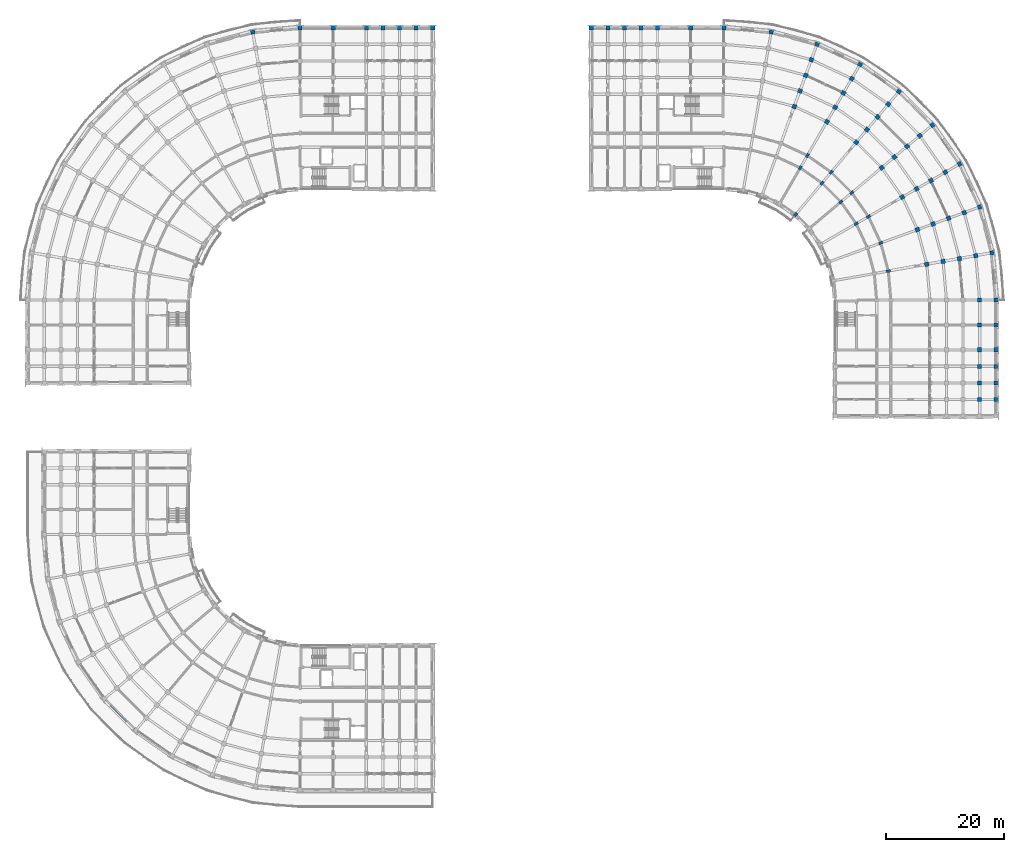
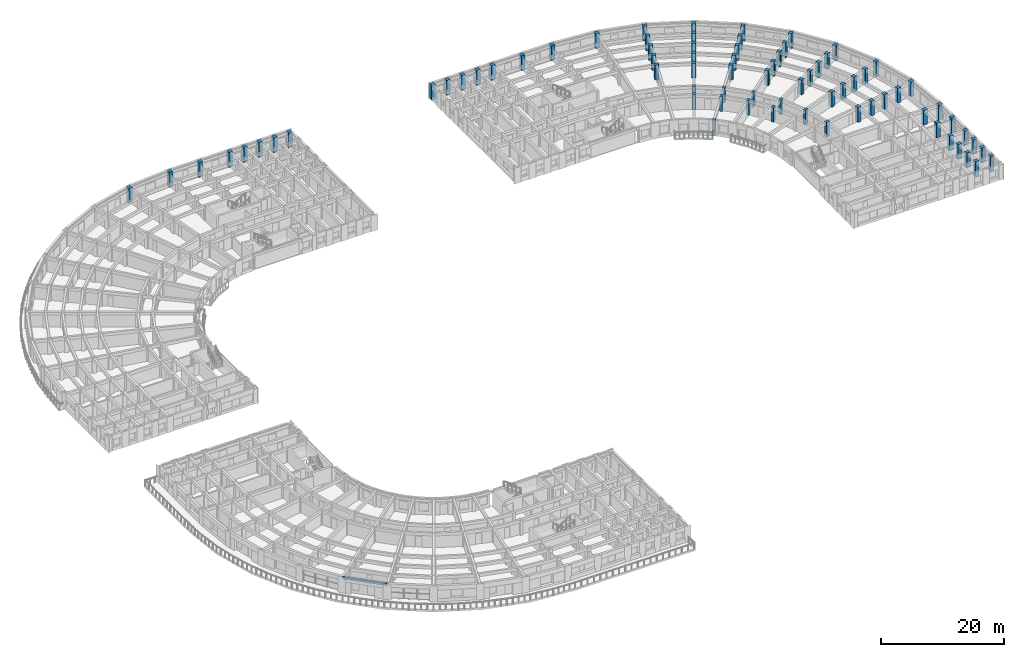
# One storey, part 3 of 57: 74 columns, 1 beam.
"""IFC4 building model written with IfcOpenShell, lengths in metres."""

from ifc_helpers import new_model, si_unit, direction, frame, origin, origin_2d, place, context, subcontext, project, spatial, rectangle, extrude, material, material_profile, profile_set, type_object, element, save


model = new_model("IFC4")

# Units and contexts
model_context = context("Model", 3, precision=1e-05, world=origin(), true_north=direction((0.0, 1.0)))
body_context = subcontext(model_context, "Body", "Model", "MODEL_VIEW")
ifc_project = project(units=[si_unit("LENGTHUNIT", "METRE"), si_unit("AREAUNIT", "SQUARE_METRE"), si_unit("VOLUMEUNIT", "CUBIC_METRE"), si_unit("PLANEANGLEUNIT", "RADIAN"), si_unit("MASSUNIT", "GRAM", prefix="KILO")], contexts=[model_context])

# Site, building, storey
site_placement = place(None, origin())
site = spatial("IfcSite", under=ifc_project, at=site_placement, CompositionType="ELEMENT")
building_placement = place(site_placement, origin())
building = spatial("IfcBuilding", under=site, at=building_placement, Name="Kiranvali Square Residences", CompositionType="ELEMENT")
storey_placement = place(building_placement, frame((0.0, 0.0, 21.300048828125)))
storey = spatial("IfcBuildingStorey", under=building, at=storey_placement, Name="L06", CompositionType="ELEMENT", Elevation=21.300048828125)

# Columns
ifc_material_1 = material(Name="Concrete M45 (45 MPa)", Category="concrete")
ifc_material_profile_1 = material_profile(ifc_material_1, rectangle(XDim=0.699951171875, YDim=0.699951171875, at=origin_2d()), Name="RC 700x700")
ifc_profile_set_1 = profile_set([ifc_material_profile_1], Name="Concrete M45 (45 MPa)")
column_type_1 = type_object("IfcColumnType", Name="COL-M45-700", PredefinedType="COLUMN", material=ifc_profile_set_1)
for number, where, z_axis, x_axis, name in (
    (1, (48.199951171875, 133.800048828125, 0.0), (0.0, 0.0, 1.0), (1.0, 0.0, 0.0), "Block A L06 radial column A00-R7"),
    (2, (40.212158203125, 133.10107421875, 0.0), (0.0, 0.0, 1.0), (0.984807753012, 0.173648177667, 0.0), "Block A L06 radial column A01-R7"),
    (3, (53.800048828125, 133.800048828125, 0.0), (0.0, 0.0, 1.0), (1.0, 0.0, 0.0), "Block A L06 core-front column U0-R7"),
    (4, (59.39990234375, 133.800048828125, 0.0), (0.0, 0.0, 1.0), (1.0, 0.0, 0.0), "Block A L06 Arm 1 column U1-R7"),
    (5, (62.199951171875, 133.800048828125, 0.0), (0.0, 0.0, 1.0), (1.0, 0.0, 0.0), "Block A L06 Arm 1 column U2-R7"),
    (6, (65.0, 133.800048828125, 0.0), (0.0, 0.0, 1.0), (1.0, 0.0, 0.0), "Block A L06 Arm 1 column U3-R7"),
    (7, (67.800048828125, 133.800048828125, 0.0), (0.0, 0.0, 1.0), (1.0, 0.0, 0.0), "Block A L06 Arm 1 column U4-R7"),
    (8, (70.60009765625, 133.800048828125, 0.0), (0.0, 0.0, 1.0), (1.0, 0.0, 0.0), "Block A L06 Arm 1 column U5-R7"),
    (9, (119.800048828125, 133.800048828125, 0.0), (0.0, 0.0, 1.0), (1.0, 0.0, 0.0), "Block B L06 radial column A00-R7"),
    (10, (127.787841796875, 133.10107421875, 0.0), (0.0, 0.0, 1.0), (-0.984807753012, 0.173648177667, 0.0), "Block B L06 radial column A01-R7"),
    (11, (131.702392578125, 120.501220703125, 0.0), (0.0, 0.0, 1.0), (-0.939692620786, 0.342020143326, 0.0), "Block B L06 radial column A02-R3"),
    (12, (132.659912109375, 123.13232421875, 0.0), (0.0, 0.0, 1.0), (-0.939692620786, 0.342020143326, 0.0), "Block B L06 radial column A02-R4"),
    (13, (133.61767578125, 125.763671875, 0.0), (0.0, 0.0, 1.0), (-0.939692620786, 0.342020143326, 0.0), "Block B L06 radial column A02-R5"),
    (14, (134.5751953125, 128.394775390625, 0.0), (0.0, 0.0, 1.0), (-0.939692620786, 0.342020143326, 0.0), "Block B L06 radial column A02-R6"),
    (15, (135.532958984375, 131.02587890625, 0.0), (0.0, 0.0, 1.0), (-0.939692620786, 0.342020143326, 0.0), "Block B L06 radial column A02-R7"),
    (16, (137.199951171875, 117.937744140625, 0.0), (0.0, 0.0, 1.0), (-0.866025403784, 0.5, 0.0), "Block B L06 radial column A03-R3"),
    (17, (138.60009765625, 120.362548828125, 0.0), (0.0, 0.0, 1.0), (-0.866025403784, 0.5, 0.0), "Block B L06 radial column A03-R4"),
    (18, (140.0, 122.787353515625, 0.0), (0.0, 0.0, 1.0), (-0.866025403784, 0.5, 0.0), "Block B L06 radial column A03-R5"),
    (19, (141.39990234375, 125.21240234375, 0.0), (0.0, 0.0, 1.0), (-0.866025403784, 0.5, 0.0), "Block B L06 radial column A03-R6"),
    (20, (142.800048828125, 127.63720703125, 0.0), (0.0, 0.0, 1.0), (-0.866025403784, 0.5, 0.0), "Block B L06 radial column A03-R7"),
    (21, (142.1689453125, 114.458251953125, 0.0), (0.0, 0.0, 1.0), (-0.766044443119, 0.642787609687, 0.0), "Block B L06 radial column A04-R3"),
    (22, (143.96875, 116.603271484375, 0.0), (0.0, 0.0, 1.0), (-0.766044443119, 0.642787609687, 0.0), "Block B L06 radial column A04-R4"),
    (23, (145.7685546875, 118.748291015625, 0.0), (0.0, 0.0, 1.0), (-0.766044443119, 0.642787609687, 0.0), "Block B L06 radial column A04-R5"),
    (24, (147.568359375, 120.89306640625, 0.0), (0.0, 0.0, 1.0), (-0.766044443119, 0.642787609687, 0.0), "Block B L06 radial column A04-R6"),
    (25, (149.3681640625, 123.0380859375, 0.0), (0.0, 0.0, 1.0), (-0.766044443119, 0.642787609687, 0.0), "Block B L06 radial column A04-R7"),
    (26, (146.458251953125, 110.1689453125, 0.0), (0.0, 0.0, 1.0), (-0.642787609687, 0.766044443119, 0.0), "Block B L06 radial column A05-R3"),
    (27, (148.603271484375, 111.96875, 0.0), (0.0, 0.0, 1.0), (-0.642787609687, 0.766044443119, 0.0), "Block B L06 radial column A05-R4"),
    (28, (150.748291015625, 113.7685546875, 0.0), (0.0, 0.0, 1.0), (-0.642787609687, 0.766044443119, 0.0), "Block B L06 radial column A05-R5"),
    (29, (152.89306640625, 115.568359375, 0.0), (0.0, 0.0, 1.0), (-0.642787609687, 0.766044443119, 0.0), "Block B L06 radial column A05-R6"),
    (30, (155.0380859375, 117.3681640625, 0.0), (0.0, 0.0, 1.0), (-0.642787609687, 0.766044443119, 0.0), "Block B L06 radial column A05-R7"),
    (31, (149.937744140625, 105.199951171875, 0.0), (0.0, 0.0, 1.0), (-0.5, 0.866025403784, 0.0), "Block B L06 radial column A06-R3"),
    (32, (152.362548828125, 106.60009765625, 0.0), (0.0, 0.0, 1.0), (-0.5, 0.866025403784, 0.0), "Block B L06 radial column A06-R4"),
    (33, (154.787353515625, 108.0, 0.0), (0.0, 0.0, 1.0), (-0.5, 0.866025403784, 0.0), "Block B L06 radial column A06-R5"),
    (34, (157.21240234375, 109.39990234375, 0.0), (0.0, 0.0, 1.0), (-0.5, 0.866025403784, 0.0), "Block B L06 radial column A06-R6"),
    (35, (159.63720703125, 110.800048828125, 0.0), (0.0, 0.0, 1.0), (-0.5, 0.866025403784, 0.0), "Block B L06 radial column A06-R7"),
    (36, (152.501220703125, 99.702392578125, 0.0), (0.0, 0.0, 1.0), (-0.342020143326, 0.939692620786, 0.0), "Block B L06 radial column A07-R3"),
    (37, (155.13232421875, 100.659912109375, 0.0), (0.0, 0.0, 1.0), (-0.342020143326, 0.939692620786, 0.0), "Block B L06 radial column A07-R4"),
    (38, (157.763671875, 101.61767578125, 0.0), (0.0, 0.0, 1.0), (-0.342020143326, 0.939692620786, 0.0), "Block B L06 radial column A07-R5"),
    (39, (160.394775390625, 102.5751953125, 0.0), (0.0, 0.0, 1.0), (-0.342020143326, 0.939692620786, 0.0), "Block B L06 radial column A07-R6"),
    (40, (163.02587890625, 103.532958984375, 0.0), (0.0, 0.0, 1.0), (-0.342020143326, 0.939692620786, 0.0), "Block B L06 radial column A07-R7"),
    (41, (154.0712890625, 93.843017578125, 0.0), (0.0, 0.0, 1.0), (-0.173648177667, 0.984807753012, 0.0), "Block B L06 radial column A08-R3"),
    (42, (156.828857421875, 94.3291015625, 0.0), (0.0, 0.0, 1.0), (-0.173648177667, 0.984807753012, 0.0), "Block B L06 radial column A08-R4"),
    (43, (159.586181640625, 94.8154296875, 0.0), (0.0, 0.0, 1.0), (-0.173648177667, 0.984807753012, 0.0), "Block B L06 radial column A08-R5"),
    (44, (162.34375, 95.301513671875, 0.0), (0.0, 0.0, 1.0), (-0.173648177667, 0.984807753012, 0.0), "Block B L06 radial column A08-R6"),
    (45, (165.10107421875, 95.787841796875, 0.0), (0.0, 0.0, 1.0), (-0.173648177667, 0.984807753012, 0.0), "Block B L06 radial column A08-R7"),
    (46, (163.0, 87.800048828125, 0.0), (0.0, 0.0, 1.0), (0.0, 1.0, 0.0), "Block B L06 radial column A09-R6"),
    (47, (165.800048828125, 87.800048828125, 0.0), (0.0, 0.0, 1.0), (0.0, 1.0, 0.0), "Block B L06 radial column A09-R7"),
    (48, (114.199951171875, 133.800048828125, 0.0), (0.0, 0.0, 1.0), (1.0, 0.0, 0.0), "Block B L06 core-front column U0-R7"),
    (49, (108.60009765625, 133.800048828125, 0.0), (0.0, 0.0, 1.0), (1.0, 0.0, 0.0), "Block B L06 Arm 1 column U1-R7"),
    (50, (105.800048828125, 133.800048828125, 0.0), (0.0, 0.0, 1.0), (1.0, 0.0, 0.0), "Block B L06 Arm 1 column U2-R7"),
    (51, (103.0, 133.800048828125, 0.0), (0.0, 0.0, 1.0), (1.0, 0.0, 0.0), "Block B L06 Arm 1 column U3-R7"),
    (52, (100.199951171875, 133.800048828125, 0.0), (0.0, 0.0, 1.0), (1.0, 0.0, 0.0), "Block B L06 Arm 1 column U4-R7"),
    (53, (97.39990234375, 133.800048828125, 0.0), (0.0, 0.0, 1.0), (1.0, 0.0, 0.0), "Block B L06 Arm 1 column U5-R7"),
    (54, (163.0, 83.60009765625, 0.0), (0.0, 0.0, 1.0), (1.0, 0.0, 0.0), "Block B L06 Arm 2 mid-core column V0-R6"),
    (55, (165.800048828125, 83.60009765625, 0.0), (0.0, 0.0, 1.0), (1.0, 0.0, 0.0), "Block B L06 Arm 2 mid-core column V0-R7"),
    (56, (163.0, 79.39990234375, 0.0), (0.0, 0.0, 1.0), (1.0, 0.0, 0.0), "Block B L06 Arm 2 column V1-R6"),
    (57, (165.800048828125, 79.39990234375, 0.0), (0.0, 0.0, 1.0), (1.0, 0.0, 0.0), "Block B L06 Arm 2 column V1-R7"),
    (58, (163.0, 76.60009765625, 0.0), (0.0, 0.0, 1.0), (1.0, 0.0, 0.0), "Block B L06 Arm 2 column V2-R6"),
    (59, (165.800048828125, 76.60009765625, 0.0), (0.0, 0.0, 1.0), (1.0, 0.0, 0.0), "Block B L06 Arm 2 column V2-R7"),
    (60, (163.0, 73.800048828125, 0.0), (0.0, 0.0, 1.0), (1.0, 0.0, 0.0), "Block B L06 Arm 2 column V3-R6"),
    (61, (165.800048828125, 73.800048828125, 0.0), (0.0, 0.0, 1.0), (1.0, 0.0, 0.0), "Block B L06 Arm 2 column V3-R7"),
    (62, (163.0, 71.0, 0.0), (0.0, 0.0, 1.0), (1.0, 0.0, 0.0), "Block B L06 Arm 2 column V4-R6"),
    (63, (165.800048828125, 71.0, 0.0), (0.0, 0.0, 1.0), (1.0, 0.0, 0.0), "Block B L06 Arm 2 column V4-R7"),
):
    element("IfcColumn", number, at=place(storey_placement, frame(where, z_axis=z_axis, x_axis=x_axis)), inside=storey, type_object=column_type_1, Name=name, PredefinedType="COLUMN", context=body_context, shape_type="SweptSolid", body=[
        extrude(rectangle(XDim=0.699951171875, YDim=0.699951171875, at=origin_2d()), origin(), (0.0, 0.0, 1.0), 2.929931640625),
    ])
ifc_material_profile_2 = material_profile(ifc_material_1, rectangle(XDim=0.449951171875, YDim=0.699951171875, at=origin_2d()), Name="RC 700x450")
ifc_profile_set_2 = profile_set([ifc_material_profile_2], Name="Concrete M45 (45 MPa)")
column_type_2 = type_object("IfcColumnType", Name="COL-M45-700x450", PredefinedType="COLUMN", material=ifc_profile_set_2)
for number, where, z_axis, x_axis, name in (
    (64, (132.699951171875, 110.1435546875, 0.0), (0.0, 0.0, 1.0), (-0.866025403784, 0.5, 0.0), "Block B L06 radial column A03-R1"),
    (65, (133.89990234375, 112.221923828125, 0.0), (0.0, 0.0, 1.0), (-0.866025403784, 0.5, 0.0), "Block B L06 radial column A03-R2"),
    (66, (136.384033203125, 107.56396484375, 0.0), (0.0, 0.0, 1.0), (-0.766044443119, 0.642787609687, 0.0), "Block B L06 radial column A04-R1"),
    (67, (137.926513671875, 109.40234375, 0.0), (0.0, 0.0, 1.0), (-0.766044443119, 0.642787609687, 0.0), "Block B L06 radial column A04-R2"),
    (68, (139.56396484375, 104.384033203125, 0.0), (0.0, 0.0, 1.0), (-0.642787609687, 0.766044443119, 0.0), "Block B L06 radial column A05-R1"),
    (69, (141.40234375, 105.926513671875, 0.0), (0.0, 0.0, 1.0), (-0.642787609687, 0.766044443119, 0.0), "Block B L06 radial column A05-R2"),
    (70, (142.1435546875, 100.699951171875, 0.0), (0.0, 0.0, 1.0), (-0.5, 0.866025403784, 0.0), "Block B L06 radial column A06-R1"),
    (71, (144.221923828125, 101.89990234375, 0.0), (0.0, 0.0, 1.0), (-0.5, 0.866025403784, 0.0), "Block B L06 radial column A06-R2"),
    (72, (146.29931640625, 97.445068359375, 0.0), (0.0, 0.0, 1.0), (-0.342020143326, 0.939692620786, 0.0), "Block B L06 radial column A07-R2"),
    (73, (147.571533203125, 92.69677734375, 0.0), (0.0, 0.0, 1.0), (-0.173648177667, 0.984807753012, 0.0), "Block B L06 radial column A08-R2"),
):
    element("IfcColumn", number, at=place(storey_placement, frame(where, z_axis=z_axis, x_axis=x_axis)), inside=storey, type_object=column_type_2, Name=name, PredefinedType="COLUMN", context=body_context, shape_type="SweptSolid", body=[
        extrude(rectangle(XDim=0.449951171875, YDim=0.699951171875, at=origin_2d()), origin(), (0.0, 0.0, 1.0), 2.929931640625),
    ])
ifc_material_2 = material(Name="Concrete M50 (50 MPa)", Category="concrete")
ifc_material_profile_3 = material_profile(ifc_material_2, rectangle(XDim=0.5, YDim=0.800048828125, at=origin_2d()), Name="RC 800x500")
ifc_profile_set_3 = profile_set([ifc_material_profile_3], Name="Concrete M50 (50 MPa)")
column_type_3 = type_object("IfcColumnType", Name="COL-M50-800x500", PredefinedType="COLUMN", material=ifc_profile_set_3)
column_placement = place(storey_placement, frame((131.884521484375, 102.20166015625, 0.0), z_axis=(0.0, 0.0, 1.0), x_axis=(-0.766044443119, 0.642787609687, 0.0)))
element("IfcColumn", 74, at=column_placement, inside=storey, type_object=column_type_3, Name="Block B L06 radial column A04-R0", PredefinedType="COLUMN", context=body_context, shape_type="SweptSolid", body=[
    extrude(rectangle(XDim=0.5, YDim=0.800048828125, at=origin_2d()), origin(), (0.0, 0.0, 1.0), 2.929931640625),
])

# Beam
ifc_material_3 = material(Name="Concrete M40 (40 MPa)", Category="concrete")
ifc_material_profile_4 = material_profile(ifc_material_3, rectangle(XDim=0.300048828125, YDim=0.449951171875, at=origin_2d()), Name="RC 300x450")
ifc_profile_set_4 = profile_set([ifc_material_profile_4], Name="Concrete M40 (40 MPa)")
beam_type = type_object("IfcBeamType", Name="SPN-M40-300x450", PredefinedType="SPANDREL", material=ifc_profile_set_4)
beam_placement = place(storey_placement, frame((20.431640625, 15.10693359375, 2.744873046875), z_axis=(-0.707106781187, 0.707106781187, 0.0), x_axis=(-0.707106781187, -0.707106781187, 0.0)))
element("IfcBeam", 75, at=beam_placement, inside=storey, type_object=beam_type, Name="L06 beam BM-C-L06-C04-R6", PredefinedType="SPANDREL", context=body_context, shape_type="SweptSolid", body=[
    extrude(rectangle(XDim=0.300048828125, YDim=0.449951171875, at=origin_2d()), origin(), (0.0, 0.0, 1.0), 7.5302734375),
])

save(model, "model.ifc")
